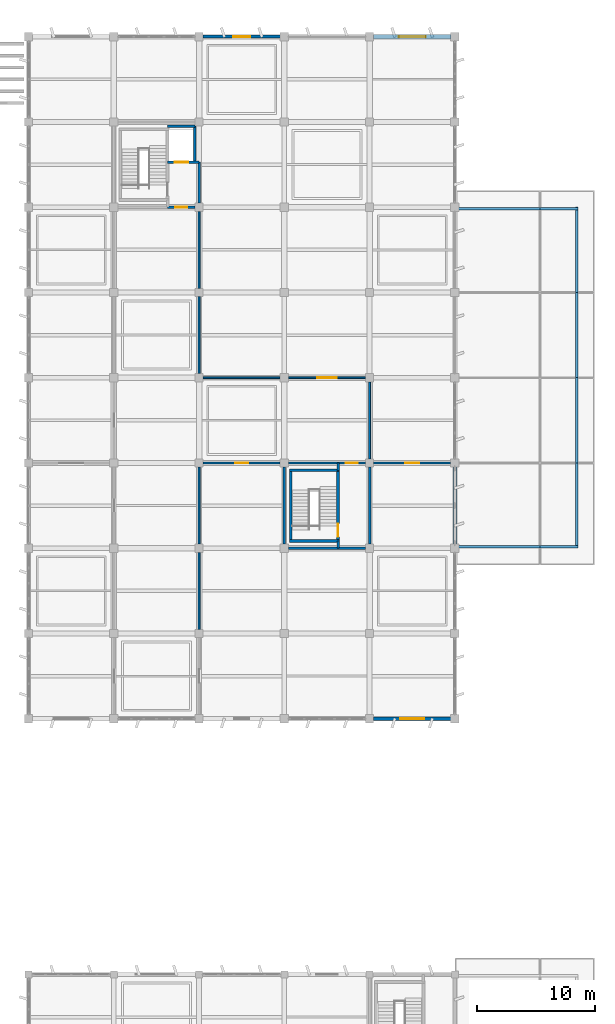
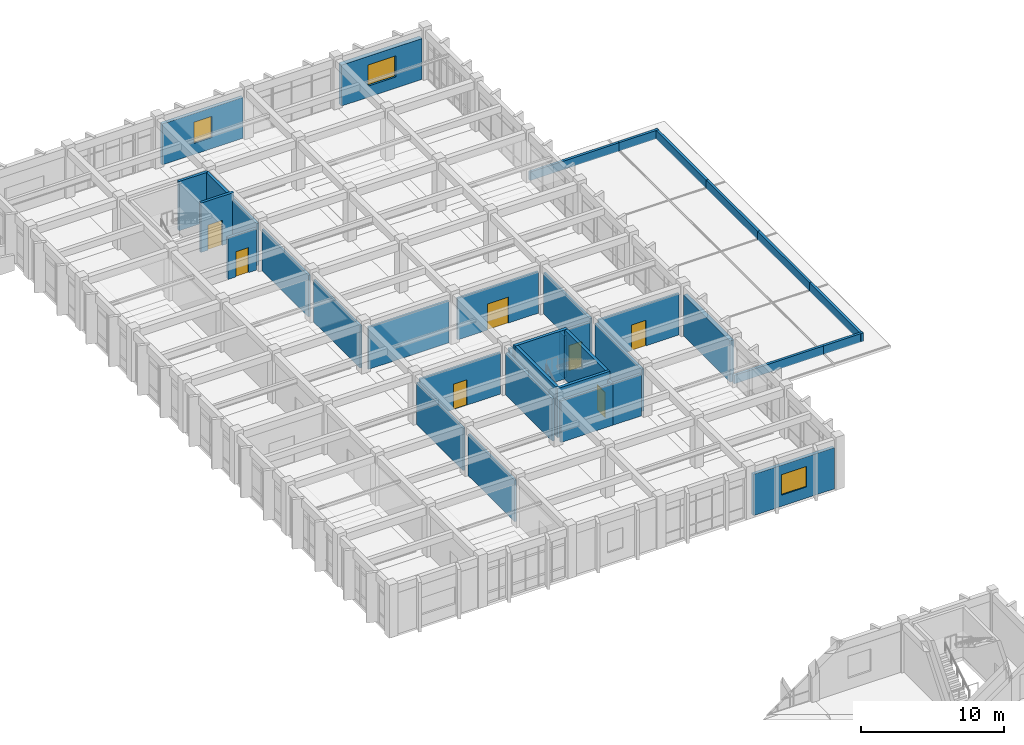
# One storey, part 70 of 81: 38 walls, 7 doors, 3 windows, 10 openings.
"""IFC4 building model written with IfcOpenShell, lengths in metres."""

from ifc_helpers import new_model, si_unit, direction, frame, frame_2d, origin, place, context, subcontext, project, spatial, rectangle, extrude, material, layer, layer_set, type_object, element, fill, save


model = new_model("IFC4")

# Units and contexts
model_context = context("Model", 3, precision=1e-05, world=origin(), true_north=direction((0.0, 1.0)))
body_context = subcontext(model_context, "Body", "Model", "MODEL_VIEW")
ifc_project = project(units=[si_unit("LENGTHUNIT", "METRE"), si_unit("AREAUNIT", "SQUARE_METRE"), si_unit("VOLUMEUNIT", "CUBIC_METRE"), si_unit("PLANEANGLEUNIT", "RADIAN"), si_unit("MASSUNIT", "GRAM", prefix="KILO")], contexts=[model_context])

# Site, building, storey
site_placement = place(None, origin())
site = spatial("IfcSite", under=ifc_project, at=site_placement, CompositionType="ELEMENT")
building_placement = place(site_placement, origin())
building = spatial("IfcBuilding", under=site, at=building_placement, Name="Kavelor Marine Aquarium", CompositionType="ELEMENT")
storey_placement = place(building_placement, frame((0.0, 0.0, 4.679931640625)))
storey = spatial("IfcBuildingStorey", under=building, at=storey_placement, Name="L01", CompositionType="ELEMENT", Elevation=4.679931640625)

# Wall, opening, window
ifc_material_1 = material(Name="Concrete C45/55", Category="concrete")
ifc_layer_1 = layer(ifc_material_1, 0.360107421875)
ifc_layer_set_1 = layer_set([ifc_layer_1], Name="WL-EX1")
wall_type_1 = type_object("IfcWallType", Name="WL-EX1", PredefinedType="STANDARD", material=ifc_layer_set_1)
wall_1_placement = place(storey_placement, frame((147.544921875, 110.800048828125, 0.0), z_axis=(0.0, 0.0, 1.0), x_axis=(1.0, 0.0, 0.0)))
wall_1 = element("IfcWall", 1, at=wall_1_placement, inside=storey, type_object=wall_type_1, Name="ew:x:L01:20_15", PredefinedType="STANDARD", context=body_context, shape_type="SweptSolid", body=[
    extrude(rectangle(XDim=6.510009765625, YDim=0.360107421875, at=frame_2d((3.2548828125, 0.0))), origin(), (0.0, 0.0, 1.0), 3.489990234375),
])
opening_1_placement = place(wall_1_placement, frame((2.1298828125, 0.0, 0.949951171875)))
opening_1 = element("IfcOpeningElement", 2, at=opening_1_placement, cuts=wall_1, Name="Opening W42", PredefinedType="OPENING", context=body_context, shape_type="SweptSolid", body=[
    extrude(rectangle(XDim=2.25, YDim=1.800048828125, at=frame_2d((1.125, 0.89990234375))), frame((0.0, 0.18994140625, 0.0), z_axis=(0.0, -1.0, 0.0), x_axis=(1.0, 0.0, 0.0)), (0.0, 0.0, 1.0), 0.380107),
])
ifc_material_2 = material(Name="Anodised Aluminium Frame with Low-E Double Glazing", Category="aluminium")
window_type_1 = type_object("IfcWindowType", Name="WIN-W42", PartitioningType="DOUBLE_PANEL_VERTICAL", PredefinedType="WINDOW", material=ifc_material_2)
window_1_placement = place(opening_1_placement, origin())
window_1 = element("IfcWindow", 3, at=window_1_placement, inside=storey, type_object=window_type_1, Name="win:x:L01:20_15", OverallHeight=1.800048828125, OverallWidth=2.25, PartitioningType="SINGLE_PANEL", PredefinedType="WINDOW", context=body_context, shape_type="SweptSolid", body=[
    extrude(rectangle(XDim=2.25, YDim=1.800048828125, at=frame_2d((1.125, 0.89990234375))), frame((0.0, 0.030029296875, 0.0), z_axis=(0.0, -1.0, 0.0), x_axis=(1.0, 0.0, 0.0)), (0.0, 0.0, 1.0), 0.06005859375),
])
fill(opening_1, window_1)

# Wall
ifc_material_3 = material(Name="Concrete C45/55", Category="concrete")
ifc_layer_2 = layer(ifc_material_3, 0.320068359375)
ifc_layer_set_2 = layer_set([ifc_layer_2], Name="WL-EX2")
wall_type_2 = type_object("IfcWallType", Name="WL-EX2", PredefinedType="STANDARD", material=ifc_layer_set_2)
wall_2_placement = place(storey_placement, frame((154.39990234375, 74.455078125, 0.0), z_axis=(0.0, 0.0, 1.0), x_axis=(0.0, -1.0, 0.0)))
element("IfcWall", 4, at=wall_2_placement, inside=storey, type_object=wall_type_2, Name="ew:y:L01:21_09", PredefinedType="STANDARD", context=body_context, shape_type="SweptSolid", body=[
    extrude(rectangle(XDim=6.510009765625, YDim=0.320068359375, at=frame_2d((3.2548828125, 0.0))), origin(), (0.0, 0.0, 1.0), 3.510009765625),
])

# Wall, opening, window
ifc_material_4 = material(Name="Concrete C40/50", Category="concrete")
ifc_layer_3 = layer(ifc_material_4, 0.260009765625)
ifc_layer_set_3 = layer_set([ifc_layer_3], Name="WL-EX5")
wall_type_3 = type_object("IfcWallType", Name="WL-EX5", PredefinedType="STANDARD", material=ifc_layer_set_3)
wall_3_placement = place(storey_placement, frame((133.14501953125, 110.800048828125, 0.0), z_axis=(0.0, 0.0, 1.0), x_axis=(1.0, 0.0, 0.0)))
wall_3 = element("IfcWall", 5, at=wall_3_placement, inside=storey, type_object=wall_type_3, Name="ew:x:L01:18_15", PredefinedType="STANDARD", context=body_context, shape_type="SweptSolid", body=[
    extrude(rectangle(XDim=6.510009765625, YDim=0.260009765625, at=frame_2d((3.2548828125, 0.0))), origin(), (0.0, 0.0, 1.0), 3.489990234375),
])
opening_2_placement = place(wall_3_placement, frame((2.530029296875, 0.0, 0.949951171875)))
opening_2 = element("IfcOpeningElement", 6, at=opening_2_placement, cuts=wall_3, Name="Opening W38", PredefinedType="OPENING", context=body_context, shape_type="SweptSolid", body=[
    extrude(rectangle(XDim=1.449951171875, YDim=1.800048828125, at=frame_2d((0.72509765625, 0.89990234375))), frame((0.0, 0.139892578125, 0.0), z_axis=(0.0, -1.0, 0.0), x_axis=(1.0, 0.0, 0.0)), (0.0, 0.0, 1.0), 0.28001),
])
ifc_material_5 = material(Name="Anodised Aluminium Frame with Low-E Double Glazing", Category="aluminium")
window_type_2 = type_object("IfcWindowType", Name="WIN-W38", PartitioningType="SINGLE_PANEL", PredefinedType="WINDOW", material=ifc_material_5)
window_2_placement = place(opening_2_placement, origin())
window_2 = element("IfcWindow", 7, at=window_2_placement, inside=storey, type_object=window_type_2, Name="win:x:L01:18_15", OverallHeight=1.800048828125, OverallWidth=1.449951171875, PartitioningType="SINGLE_PANEL", PredefinedType="WINDOW", context=body_context, shape_type="SweptSolid", body=[
    extrude(rectangle(XDim=1.449951171875, YDim=1.800048828125, at=frame_2d((0.72509765625, 0.89990234375))), frame((0.0, 0.030029296875, 0.0), z_axis=(0.0, -1.0, 0.0), x_axis=(1.0, 0.0, 0.0)), (0.0, 0.0, 1.0), 0.06005859375),
])
fill(opening_2, window_2)

wall_4_placement = place(storey_placement, frame((154.054931640625, 53.199951171875, 0.0), z_axis=(0.0, 0.0, 1.0), x_axis=(-1.0, 0.0, 0.0)))
wall_4 = element("IfcWall", 8, at=wall_4_placement, inside=storey, type_object=wall_type_3, Name="ew:x:L01:20_07", PredefinedType="STANDARD", context=body_context, shape_type="SweptSolid", body=[
    extrude(rectangle(XDim=6.510009765625, YDim=0.260009765625, at=frame_2d((3.2548828125, 0.0))), origin(), (0.0, 0.0, 1.0), 3.510009765625),
])
opening_3_placement = place(wall_4_placement, frame((2.22998046875, 0.0, 0.949951171875)))
opening_3 = element("IfcOpeningElement", 9, at=opening_3_placement, cuts=wall_4, Name="Opening W41", PredefinedType="OPENING", context=body_context, shape_type="SweptSolid", body=[
    extrude(rectangle(XDim=2.050048828125, YDim=1.75, at=frame_2d((1.02490234375, 0.875))), frame((0.0, 0.139892578125, 0.0), z_axis=(0.0, -1.0, 0.0), x_axis=(1.0, 0.0, 0.0)), (0.0, 0.0, 1.0), 0.28001),
])
ifc_material_6 = material(Name="Anodised Aluminium Frame with Low-E Double Glazing", Category="aluminium")
window_type_3 = type_object("IfcWindowType", Name="WIN-W41", PartitioningType="DOUBLE_PANEL_VERTICAL", PredefinedType="WINDOW", material=ifc_material_6)
window_3_placement = place(opening_3_placement, origin())
window_3 = element("IfcWindow", 10, at=window_3_placement, inside=storey, type_object=window_type_3, Name="win:x:L01:20_07", OverallHeight=1.75, OverallWidth=2.050048828125, PartitioningType="SINGLE_PANEL", PredefinedType="WINDOW", context=body_context, shape_type="SweptSolid", body=[
    extrude(rectangle(XDim=2.050048828125, YDim=1.75, at=frame_2d((1.02490234375, 0.875))), frame((0.0, 0.030029296875, 0.0), z_axis=(0.0, -1.0, 0.0), x_axis=(1.0, 0.0, 0.0)), (0.0, 0.0, 1.0), 0.06005859375),
])
fill(opening_3, window_3)

# Walls
ifc_material_7 = material(Name="Concrete C40/50", Category="concrete")
ifc_layer_4 = layer(ifc_material_7, 0.199951171875)
ifc_layer_set_4 = layer_set([ifc_layer_4], Name="WL-PR3")
wall_type_4 = type_object("IfcWallType", Name="WL-PR3", PredefinedType="PARAPET", material=ifc_layer_set_4)
for number, where, z_axis, x_axis, name in (
    (11, (154.39990234375, 67.719970703125, 0.0), (0.0, 0.0, 1.0), (1.0, 0.0, 0.0), "par:s:L01:21_09"),
    (12, (154.39990234375, 96.280029296875, 0.0), (0.0, 0.0, 1.0), (1.0, 0.0, 0.0), "par:n:L01:21_12"),
):
    element("IfcWall", number, at=place(storey_placement, frame(where, z_axis=z_axis, x_axis=x_axis)), inside=storey, type_object=wall_type_4, Name=name, PredefinedType="PARAPET", context=body_context, shape_type="SweptSolid", body=[
        extrude(rectangle(XDim=7.2001953125, YDim=0.199951171875, at=frame_2d((3.60009765625, 0.0))), origin(), (0.0, 0.0, 1.0), 0.719970703125),
    ])
wall_5_placement = place(storey_placement, frame((161.60009765625, 67.719970703125, 0.0), z_axis=(0.0, 0.0, 1.0), x_axis=(1.0, 0.0, 0.0)))
element("IfcWall", 13, at=wall_5_placement, inside=storey, type_object=wall_type_4, Name="par:s:L01:22_09", PredefinedType="PARAPET", context=body_context, shape_type="SweptSolid", body=[
    extrude(rectangle(XDim=3.199951171875, YDim=0.199951171875, at=frame_2d((1.60009765625, 0.0))), origin(), (0.0, 0.0, 1.0), 0.719970703125),
])
for number, where, z_axis, x_axis, name in (
    (14, (164.679931640625, 67.60009765625, 0.0), (0.0, 0.0, 1.0), (0.0, 1.0, 0.0), "par:e:L01:22_09"),
    (15, (164.679931640625, 74.800048828125, 0.0), (0.0, 0.0, 1.0), (0.0, 1.0, 0.0), "par:e:L01:22_10"),
    (16, (164.679931640625, 82.0, 0.0), (0.0, 0.0, 1.0), (0.0, 1.0, 0.0), "par:e:L01:22_11"),
):
    element("IfcWall", number, at=place(storey_placement, frame(where, z_axis=z_axis, x_axis=x_axis)), inside=storey, type_object=wall_type_4, Name=name, PredefinedType="PARAPET", context=body_context, shape_type="SweptSolid", body=[
        extrude(rectangle(XDim=7.199951171875, YDim=0.199951171875, at=frame_2d((3.60009765625, 0.0))), origin(), (0.0, 0.0, 1.0), 0.719970703125),
    ])
wall_6_placement = place(storey_placement, frame((161.60009765625, 96.280029296875, 0.0), z_axis=(0.0, 0.0, 1.0), x_axis=(1.0, 0.0, 0.0)))
element("IfcWall", 17, at=wall_6_placement, inside=storey, type_object=wall_type_4, Name="par:n:L01:22_12", PredefinedType="PARAPET", context=body_context, shape_type="SweptSolid", body=[
    extrude(rectangle(XDim=3.199951171875, YDim=0.199951171875, at=frame_2d((1.60009765625, 0.0))), origin(), (0.0, 0.0, 1.0), 0.719970703125),
])
wall_7_placement = place(storey_placement, frame((164.679931640625, 89.199951171875, 0.0), z_axis=(0.0, 0.0, 1.0), x_axis=(0.0, 1.0, 0.0)))
element("IfcWall", 18, at=wall_7_placement, inside=storey, type_object=wall_type_4, Name="par:e:L01:22_12", PredefinedType="PARAPET", context=body_context, shape_type="SweptSolid", body=[
    extrude(rectangle(XDim=7.199951171875, YDim=0.199951171875, at=frame_2d((3.60009765625, 0.0))), origin(), (0.0, 0.0, 1.0), 0.719970703125),
])
ifc_material_8 = material(Name="Concrete Blockwork Partition", Category="masonry")
ifc_layer_5 = layer(ifc_material_8, 0.199951171875)
ifc_layer_set_5 = layer_set([ifc_layer_5], Name="WL-PT1")
wall_type_5 = type_object("IfcWallType", Name="WL-PT1", PredefinedType="PARTITIONING", material=ifc_layer_set_5)
wall_8_placement = place(storey_placement, frame((132.800048828125, 96.75, 0.0), z_axis=(0.0, 0.0, 1.0), x_axis=(0.0, 1.0, 0.0)))
element("IfcWall", 19, at=wall_8_placement, inside=storey, type_object=wall_type_5, Name="pt:lob:C10:L01:e", PredefinedType="PARTITIONING", context=body_context, shape_type="SweptSolid", body=[
    extrude(rectangle(XDim=3.449951171875, YDim=0.199951171875, at=frame_2d((1.72509765625, 0.0))), origin(), (0.0, 0.0, 1.0), 3.590087890625),
])

# Wall, opening, door
wall_9_placement = place(storey_placement, frame((130.139892578125, 96.39990234375, 0.0), z_axis=(0.0, 0.0, 1.0), x_axis=(1.0, 0.0, 0.0)))
wall_9 = element("IfcWall", 20, at=wall_9_placement, inside=storey, type_object=wall_type_5, Name="pt:lob:C10:L01:s", PredefinedType="PARTITIONING", context=body_context, shape_type="SweptSolid", body=[
    extrude(rectangle(XDim=2.31005859375, YDim=0.199951171875, at=frame_2d((1.155029296875, 0.0))), origin(), (0.0, 0.0, 1.0), 3.5400390625),
])
opening_4_placement = place(wall_9_placement, frame((0.64501953125, 0.0, 0.0)))
opening_4 = element("IfcOpeningElement", 21, at=opening_4_placement, cuts=wall_9, Name="Opening SD1", PredefinedType="OPENING", context=body_context, shape_type="SweptSolid", body=[
    extrude(rectangle(XDim=1.02001953125, YDim=2.14990234375, at=frame_2d((0.510009765625, 1.074951171875))), frame((0.0, 0.10986328125, 0.0), z_axis=(0.0, -1.0, 0.0), x_axis=(1.0, 0.0, 0.0)), (0.0, 0.0, 1.0), 0.219951),
])
ifc_material_9 = material(Name="Fire-Rated Corridor Compartment Door")
door_type_1 = type_object("IfcDoorType", Name="DR-SD1", OperationType="NOTDEFINED", PredefinedType="DOOR", material=ifc_material_9)
door_1_placement = place(opening_4_placement, origin())
door_1 = element("IfcDoor", 22, at=door_1_placement, inside=storey, type_object=door_type_1, Name="Core Lobby Fire Door C10-L01", OperationType="SINGLE_SWING_RIGHT", OverallHeight=2.14990234375, OverallWidth=1.02001953125, PredefinedType="DOOR", context=body_context, shape_type="SweptSolid", body=[
    extrude(rectangle(XDim=1.02001953125, YDim=2.14990234375, at=frame_2d((0.510009765625, 1.074951171875))), frame((0.0, 0.02490234375, 0.0), z_axis=(0.0, -1.0, 0.0), x_axis=(1.0, 0.0, 0.0)), (0.0, 0.0, 1.0), 0.050048828125),
])
fill(opening_4, door_1)

# Walls
wall_10_placement = place(storey_placement, frame((144.5400390625, 67.60009765625, 0.0), z_axis=(0.0, 0.0, 1.0), x_axis=(0.0, 1.0, 0.0)))
element("IfcWall", 23, at=wall_10_placement, inside=storey, type_object=wall_type_5, Name="pt:st_close:s:C11:L01", PredefinedType="PARTITIONING", context=body_context, shape_type="SweptSolid", body=[
    extrude(rectangle(XDim=0.619873046875, YDim=0.199951171875, at=frame_2d((0.31005859375, 0.0))), origin(), (0.0, 0.0, 1.0), 3.5400390625),
])
wall_11_placement = place(storey_placement, frame((144.5400390625, 74.179931640625, 0.0), z_axis=(0.0, 0.0, 1.0), x_axis=(0.0, 1.0, 0.0)))
element("IfcWall", 24, at=wall_11_placement, inside=storey, type_object=wall_type_5, Name="pt:st_close:n:C11:L01", PredefinedType="PARTITIONING", context=body_context, shape_type="SweptSolid", body=[
    extrude(rectangle(XDim=0.6201171875, YDim=0.199951171875, at=frame_2d((0.31005859375, 0.0))), origin(), (0.0, 0.0, 1.0), 3.590087890625),
])
for number, where, z_axis, x_axis, name in (
    (25, (140.0, 67.949951171875, 0.0), (0.0, 0.0, 1.0), (0.0, 1.0, 0.0), "pt:lob:C11:L01:w"),
    (26, (147.199951171875, 67.949951171875, 0.0), (0.0, 0.0, 1.0), (0.0, 1.0, 0.0), "pt:lob:C11:L01:e"),
):
    element("IfcWall", number, at=place(storey_placement, frame(where, z_axis=z_axis, x_axis=x_axis)), inside=storey, type_object=wall_type_5, Name=name, PredefinedType="PARTITIONING", context=body_context, shape_type="SweptSolid", body=[
        extrude(rectangle(XDim=6.5, YDim=0.199951171875, at=frame_2d((3.25, 0.0))), origin(), (0.0, 0.0, 1.0), 3.590087890625),
    ])
wall_12_placement = place(storey_placement, frame((140.35009765625, 67.60009765625, 0.0), z_axis=(0.0, 0.0, 1.0), x_axis=(1.0, 0.0, 0.0)))
element("IfcWall", 27, at=wall_12_placement, inside=storey, type_object=wall_type_5, Name="pt:lob:C11:L01:s_st", PredefinedType="PARTITIONING", context=body_context, shape_type="SweptSolid", body=[
    extrude(rectangle(XDim=4.18994140625, YDim=0.199951171875, at=frame_2d((2.094970703125, 0.0))), origin(), (0.0, 0.0, 1.0), 3.5400390625),
])
wall_13_placement = place(storey_placement, frame((144.5400390625, 67.60009765625, 0.0), z_axis=(0.0, 0.0, 1.0), x_axis=(1.0, 0.0, 0.0)))
element("IfcWall", 28, at=wall_13_placement, inside=storey, type_object=wall_type_5, Name="pt:lob:C11:L01:s", PredefinedType="PARTITIONING", context=body_context, shape_type="SweptSolid", body=[
    extrude(rectangle(XDim=2.31005859375, YDim=0.199951171875, at=frame_2d((1.155029296875, 0.0))), origin(), (0.0, 0.0, 1.0), 3.5400390625),
])
wall_14_placement = place(storey_placement, frame((140.35009765625, 74.800048828125, 0.0), z_axis=(0.0, 0.0, 1.0), x_axis=(1.0, 0.0, 0.0)))
element("IfcWall", 29, at=wall_14_placement, inside=storey, type_object=wall_type_5, Name="pt:lob:C11:L01:n_st", PredefinedType="PARTITIONING", context=body_context, shape_type="SweptSolid", body=[
    extrude(rectangle(XDim=4.18994140625, YDim=0.199951171875, at=frame_2d((2.094970703125, 0.0))), origin(), (0.0, 0.0, 1.0), 3.590087890625),
])

# Wall, opening, door
wall_15_placement = place(storey_placement, frame((144.5400390625, 74.800048828125, 0.0), z_axis=(0.0, 0.0, 1.0), x_axis=(1.0, 0.0, 0.0)))
wall_15 = element("IfcWall", 30, at=wall_15_placement, inside=storey, type_object=wall_type_5, Name="pt:lob:C11:L01:n", PredefinedType="PARTITIONING", context=body_context, shape_type="SweptSolid", body=[
    extrude(rectangle(XDim=2.31005859375, YDim=0.199951171875, at=frame_2d((1.155029296875, 0.0))), origin(), (0.0, 0.0, 1.0), 3.590087890625),
])
opening_5_placement = place(wall_15_placement, frame((0.64501953125, 0.0, 0.0)))
opening_5 = element("IfcOpeningElement", 31, at=opening_5_placement, cuts=wall_15, Name="Opening SD1", PredefinedType="OPENING", context=body_context, shape_type="SweptSolid", body=[
    extrude(rectangle(XDim=1.02001953125, YDim=2.14990234375, at=frame_2d((0.510009765625, 1.074951171875))), frame((0.0, 0.10986328125, 0.0), z_axis=(0.0, -1.0, 0.0), x_axis=(1.0, 0.0, 0.0)), (0.0, 0.0, 1.0), 0.219951),
])
door_2_placement = place(opening_5_placement, origin())
door_2 = element("IfcDoor", 32, at=door_2_placement, inside=storey, type_object=door_type_1, Name="Core Lobby Fire Door C11-L01", OperationType="SINGLE_SWING_RIGHT", OverallHeight=2.14990234375, OverallWidth=1.02001953125, PredefinedType="DOOR", context=body_context, shape_type="SweptSolid", body=[
    extrude(rectangle(XDim=1.02001953125, YDim=2.14990234375, at=frame_2d((0.510009765625, 1.074951171875))), frame((0.0, 0.02490234375, 0.0), z_axis=(0.0, -1.0, 0.0), x_axis=(1.0, 0.0, 0.0)), (0.0, 0.0, 1.0), 0.050048828125),
])
fill(opening_5, door_2)

# Walls
ifc_material_10 = material(Name="Acoustic Gypsum Stud Partition")
ifc_layer_6 = layer(ifc_material_10, 0.159912109375)
ifc_layer_set_6 = layer_set([ifc_layer_6], Name="WL-PT2")
wall_type_6 = type_object("IfcWallType", Name="WL-PT2", PredefinedType="PARTITIONING", material=ifc_layer_set_6)
wall_16_placement = place(storey_placement, frame((132.800048828125, 60.75, 0.0), z_axis=(0.0, 0.0, 1.0), x_axis=(0.0, 1.0, 0.0)))
element("IfcWall", 33, at=wall_16_placement, inside=storey, type_object=wall_type_6, Name="pt:y:L01:17_08", PredefinedType="PARTITIONING", context=body_context, shape_type="SweptSolid", body=[
    extrude(rectangle(XDim=6.5, YDim=0.159912109375, at=frame_2d((3.25, 0.0))), origin(), (0.0, 0.0, 1.0), 3.5400390625),
])
for number, where, z_axis, x_axis, name in (
    (34, (132.800048828125, 67.949951171875, 0.0), (0.0, 0.0, 1.0), (0.0, 1.0, 0.0), "pt:y:L01:17_09"),
    (35, (132.800048828125, 82.35009765625, 0.0), (0.0, 0.0, 1.0), (0.0, 1.0, 0.0), "pt:y:L01:17_11"),
):
    element("IfcWall", number, at=place(storey_placement, frame(where, z_axis=z_axis, x_axis=x_axis)), inside=storey, type_object=wall_type_6, Name=name, PredefinedType="PARTITIONING", context=body_context, shape_type="SweptSolid", body=[
        extrude(rectangle(XDim=6.5, YDim=0.159912109375, at=frame_2d((3.25, 0.0))), origin(), (0.0, 0.0, 1.0), 3.590087890625),
    ])
wall_17_placement = place(storey_placement, frame((132.800048828125, 89.550048828125, 0.0), z_axis=(0.0, 0.0, 1.0), x_axis=(0.0, 1.0, 0.0)))
element("IfcWall", 36, at=wall_17_placement, inside=storey, type_object=wall_type_6, Name="pt:y:L01:17_12", PredefinedType="PARTITIONING", context=body_context, shape_type="SweptSolid", body=[
    extrude(rectangle(XDim=6.5, YDim=0.159912109375, at=frame_2d((3.25, 0.0))), origin(), (0.0, 0.0, 1.0), 3.5400390625),
])

# Wall, opening, door
wall_18_placement = place(storey_placement, frame((133.14990234375, 74.800048828125, 0.0), z_axis=(0.0, 0.0, 1.0), x_axis=(1.0, 0.0, 0.0)))
wall_18 = element("IfcWall", 37, at=wall_18_placement, inside=storey, type_object=wall_type_6, Name="pt:x:L01:18_09", PredefinedType="PARTITIONING", context=body_context, shape_type="SweptSolid", body=[
    extrude(rectangle(XDim=6.5, YDim=0.159912109375, at=frame_2d((3.25, 0.0))), origin(), (0.0, 0.0, 1.0), 3.5400390625),
])
opening_6_placement = place(wall_18_placement, frame((2.7099609375, 0.0, 0.0)))
opening_6 = element("IfcOpeningElement", 38, at=opening_6_placement, cuts=wall_18, Name="Opening D08", PredefinedType="OPENING", context=body_context, shape_type="SweptSolid", body=[
    extrude(rectangle(XDim=1.080078125, YDim=2.159912109375, at=frame_2d((0.5400390625, 1.080078125))), frame((0.0, 0.08984375, 0.0), z_axis=(0.0, -1.0, 0.0), x_axis=(1.0, 0.0, 0.0)), (0.0, 0.0, 1.0), 0.179912),
])
ifc_material_11 = material(Name="Discovery Wet Lab Vision Door")
door_type_2 = type_object("IfcDoorType", Name="DR-D08", OperationType="NOTDEFINED", PredefinedType="DOOR", material=ifc_material_11)
door_3_placement = place(opening_6_placement, origin())
door_3 = element("IfcDoor", 39, at=door_3_placement, inside=storey, type_object=door_type_2, Name="dr:rm:pt:x:L01:18_09:1", OperationType="SINGLE_SWING_RIGHT", OverallHeight=2.159912109375, OverallWidth=1.080078125, PredefinedType="DOOR", context=body_context, shape_type="SweptSolid", body=[
    extrude(rectangle(XDim=1.080078125, YDim=2.159912109375, at=frame_2d((0.5400390625, 1.080078125))), frame((0.0, 0.02490234375, 0.0), z_axis=(0.0, -1.0, 0.0), x_axis=(1.0, 0.0, 0.0)), (0.0, 0.0, 1.0), 0.050048828125),
])
fill(opening_6, door_3)

# Walls
wall_19_placement = place(storey_placement, frame((133.14990234375, 82.0, 0.0), z_axis=(0.0, 0.0, 1.0), x_axis=(1.0, 0.0, 0.0)))
element("IfcWall", 40, at=wall_19_placement, inside=storey, type_object=wall_type_6, Name="pt:x:L01:18_10", PredefinedType="PARTITIONING", context=body_context, shape_type="SweptSolid", body=[
    extrude(rectangle(XDim=6.5, YDim=0.159912109375, at=frame_2d((3.25, 0.0))), origin(), (0.0, 0.0, 1.0), 3.590087890625),
])
wall_20_placement = place(storey_placement, frame((147.199951171875, 75.14990234375, 0.0), z_axis=(0.0, 0.0, 1.0), x_axis=(0.0, 1.0, 0.0)))
element("IfcWall", 41, at=wall_20_placement, inside=storey, type_object=wall_type_6, Name="pt:y:L01:19_10", PredefinedType="PARTITIONING", context=body_context, shape_type="SweptSolid", body=[
    extrude(rectangle(XDim=6.5, YDim=0.159912109375, at=frame_2d((3.25, 0.0))), origin(), (0.0, 0.0, 1.0), 3.5400390625),
])

# Wall, opening, door
wall_21_placement = place(storey_placement, frame((140.35009765625, 82.0, 0.0), z_axis=(0.0, 0.0, 1.0), x_axis=(1.0, 0.0, 0.0)))
wall_21 = element("IfcWall", 42, at=wall_21_placement, inside=storey, type_object=wall_type_6, Name="pt:x:L01:19_10", PredefinedType="PARTITIONING", context=body_context, shape_type="SweptSolid", body=[
    extrude(rectangle(XDim=6.5, YDim=0.159912109375, at=frame_2d((3.25, 0.0))), origin(), (0.0, 0.0, 1.0), 3.5400390625),
])
opening_7_placement = place(wall_21_placement, frame((2.419921875, 0.0, 0.0)))
opening_7 = element("IfcOpeningElement", 43, at=opening_7_placement, cuts=wall_21, Name="Opening D12", PredefinedType="OPENING", context=body_context, shape_type="SweptSolid", body=[
    extrude(rectangle(XDim=1.659912109375, YDim=2.219970703125, at=frame_2d((0.830078125, 1.10986328125))), frame((0.0, 0.08984375, 0.0), z_axis=(0.0, -1.0, 0.0), x_axis=(1.0, 0.0, 0.0)), (0.0, 0.0, 1.0), 0.179912),
])
ifc_material_12 = material(Name="Amphitheatre Vestibule Double Door")
door_type_3 = type_object("IfcDoorType", Name="DR-D12", OperationType="NOTDEFINED", PredefinedType="DOOR", material=ifc_material_12)
door_4_placement = place(opening_7_placement, origin())
door_4 = element("IfcDoor", 44, at=door_4_placement, inside=storey, type_object=door_type_3, Name="dr:rm:pt:x:L01:19_10:1", OperationType="DOUBLE_DOOR_SINGLE_SWING", OverallHeight=2.219970703125, OverallWidth=1.659912109375, PredefinedType="DOOR", context=body_context, shape_type="SweptSolid", body=[
    extrude(rectangle(XDim=1.659912109375, YDim=2.219970703125, at=frame_2d((0.830078125, 1.10986328125))), frame((0.0, 0.02490234375, 0.0), z_axis=(0.0, -1.0, 0.0), x_axis=(1.0, 0.0, 0.0)), (0.0, 0.0, 1.0), 0.050048828125),
])
fill(opening_7, door_4)

wall_22_placement = place(storey_placement, frame((147.550048828125, 74.800048828125, 0.0), z_axis=(0.0, 0.0, 1.0), x_axis=(1.0, 0.0, 0.0)))
wall_22 = element("IfcWall", 45, at=wall_22_placement, inside=storey, type_object=wall_type_6, Name="pt:x:L01:20_09", PredefinedType="PARTITIONING", context=body_context, shape_type="SweptSolid", body=[
    extrude(rectangle(XDim=6.5, YDim=0.159912109375, at=frame_2d((3.25, 0.0))), origin(), (0.0, 0.0, 1.0), 3.5400390625),
])
opening_8_placement = place(wall_22_placement, frame((2.669921875, 0.0, 0.0)))
opening_8 = element("IfcOpeningElement", 46, at=opening_8_placement, cuts=wall_22, Name="Opening D09", PredefinedType="OPENING", context=body_context, shape_type="SweptSolid", body=[
    extrude(rectangle(XDim=1.159912109375, YDim=2.179931640625, at=frame_2d((0.580078125, 1.08984375))), frame((0.0, 0.08984375, 0.0), z_axis=(0.0, -1.0, 0.0), x_axis=(1.0, 0.0, 0.0)), (0.0, 0.0, 1.0), 0.179912),
])
ifc_material_13 = material(Name="Husbandry Prep Marine Door")
door_type_4 = type_object("IfcDoorType", Name="DR-D09", OperationType="NOTDEFINED", PredefinedType="DOOR", material=ifc_material_13)
door_5_placement = place(opening_8_placement, origin())
door_5 = element("IfcDoor", 47, at=door_5_placement, inside=storey, type_object=door_type_4, Name="dr:rm:pt:x:L01:20_09:0", OperationType="SINGLE_SWING_RIGHT", OverallHeight=2.179931640625, OverallWidth=1.159912109375, PredefinedType="DOOR", context=body_context, shape_type="SweptSolid", body=[
    extrude(rectangle(XDim=1.159912109375, YDim=2.179931640625, at=frame_2d((0.580078125, 1.08984375))), frame((0.0, 0.02490234375, 0.0), z_axis=(0.0, -1.0, 0.0), x_axis=(1.0, 0.0, 0.0)), (0.0, 0.0, 1.0), 0.050048828125),
])
fill(opening_8, door_5)

ifc_material_14 = material(Name="Concrete C40/50", Category="concrete")
ifc_layer_7 = layer(ifc_material_14, 0.35009765625)
ifc_layer_set_7 = layer_set([ifc_layer_7], Name="WL-SW2")
wall_type_7 = type_object("IfcWallType", Name="WL-SW2", PredefinedType="SHEAR", material=ifc_layer_set_7)
wall_23_placement = place(storey_placement, frame((130.139892578125, 100.199951171875, 0.0), z_axis=(0.0, 0.0, 1.0), x_axis=(1.0, 0.0, 0.0)))
wall_23 = element("IfcWall", 48, at=wall_23_placement, inside=storey, type_object=wall_type_7, Name="cw_lf:s:C10:L01", PredefinedType="SHEAR", context=body_context, shape_type="SweptSolid", body=[
    extrude(rectangle(XDim=2.66015625, YDim=0.219970703125, at=frame_2d((1.330078125, 0.0))), origin(), (0.0, 0.0, 1.0), 4.199951171875),
])
opening_9_placement = place(wall_23_placement, frame((0.5849609375, 0.0, 0.0)))
opening_9 = element("IfcOpeningElement", 49, at=opening_9_placement, cuts=wall_23, Name="Opening LD1", PredefinedType="OPENING", context=body_context, shape_type="SweptSolid", body=[
    extrude(rectangle(XDim=1.139892578125, YDim=2.14990234375, at=frame_2d((0.56982421875, 1.074951171875))), frame((0.0, 0.119873046875, 0.0), z_axis=(0.0, -1.0, 0.0), x_axis=(1.0, 0.0, 0.0)), (0.0, 0.0, 1.0), 0.239971),
])
ifc_material_15 = material(Name="Stainless Steel Lift Landing Sliding Door", Category="steel")
door_type_5 = type_object("IfcDoorType", Name="DR-LD1", OperationType="NOTDEFINED", PredefinedType="DOOR", material=ifc_material_15)
door_6_placement = place(opening_9_placement, origin())
door_6 = element("IfcDoor", 50, at=door_6_placement, inside=storey, type_object=door_type_5, Name="Lift Landing Sliding Door EL3-L01", OperationType="SLIDING_TO_LEFT", OverallHeight=2.14990234375, OverallWidth=1.139892578125, PredefinedType="DOOR", context=body_context, shape_type="SweptSolid", body=[
    extrude(rectangle(XDim=1.139892578125, YDim=2.14990234375, at=frame_2d((0.56982421875, 1.074951171875))), frame((0.0, 0.02490234375, 0.0), z_axis=(0.0, -1.0, 0.0), x_axis=(1.0, 0.0, 0.0)), (0.0, 0.0, 1.0), 0.050048828125),
])
fill(opening_9, door_6)

# Walls
wall_24_placement = place(storey_placement, frame((130.139892578125, 103.25, 0.0), z_axis=(0.0, 0.0, 1.0), x_axis=(1.0, 0.0, 0.0)))
element("IfcWall", 51, at=wall_24_placement, inside=storey, type_object=wall_type_7, Name="cw_lf:n:C10:L01", PredefinedType="SHEAR", context=body_context, shape_type="SweptSolid", body=[
    extrude(rectangle(XDim=2.31005859375, YDim=0.219970703125, at=frame_2d((1.155029296875, 0.0))), origin(), (0.0, 0.0, 1.0), 4.199951171875),
])
wall_25_placement = place(storey_placement, frame((132.449951171875, 100.199951171875, 0.0), z_axis=(0.0, 0.0, 1.0), x_axis=(0.0, 1.0, 0.0)))
element("IfcWall", 52, at=wall_25_placement, inside=storey, type_object=wall_type_7, Name="cw_lf:e:C10:L01", PredefinedType="SHEAR", context=body_context, shape_type="SweptSolid", body=[
    extrude(rectangle(XDim=3.050048828125, YDim=0.219970703125, at=frame_2d((1.52490234375, 0.0))), origin(), (0.0, 0.0, 1.0), 4.199951171875),
])
for number, where, z_axis, x_axis, name in (
    (53, (140.419921875, 68.219970703125, 0.0), (0.0, 0.0, 1.0), (1.0, 0.0, 0.0), "cw_st:s:C11:L01"),
    (54, (140.419921875, 74.179931640625, 0.0), (0.0, 0.0, 1.0), (1.0, 0.0, 0.0), "cw_st:n:C11:L01"),
):
    element("IfcWall", number, at=place(storey_placement, frame(where, z_axis=z_axis, x_axis=x_axis)), inside=storey, type_object=wall_type_7, Name=name, PredefinedType="SHEAR", context=body_context, shape_type="SweptSolid", body=[
        extrude(rectangle(XDim=4.239990234375, YDim=0.239990234375, at=frame_2d((2.1201171875, 0.0))), origin(), (0.0, 0.0, 1.0), 4.199951171875),
    ])
wall_26_placement = place(storey_placement, frame((140.5400390625, 68.340087890625, 0.0), z_axis=(0.0, 0.0, 1.0), x_axis=(0.0, 1.0, 0.0)))
element("IfcWall", 55, at=wall_26_placement, inside=storey, type_object=wall_type_7, Name="cw_st:w:C11:L01", PredefinedType="SHEAR", context=body_context, shape_type="SweptSolid", body=[
    extrude(rectangle(XDim=5.719970703125, YDim=0.239990234375, at=frame_2d((2.85986328125, 0.0))), origin(), (0.0, 0.0, 1.0), 4.199951171875),
])

# Wall, opening, door
wall_27_placement = place(storey_placement, frame((144.5400390625, 68.340087890625, 0.0), z_axis=(0.0, 0.0, 1.0), x_axis=(0.0, 1.0, 0.0)))
wall_27 = element("IfcWall", 56, at=wall_27_placement, inside=storey, type_object=wall_type_7, Name="cw_st:e:C11:L01", PredefinedType="SHEAR", context=body_context, shape_type="SweptSolid", body=[
    extrude(rectangle(XDim=5.719970703125, YDim=0.239990234375, at=frame_2d((2.85986328125, 0.0))), origin(), (0.0, 0.0, 1.0), 4.199951171875),
])
opening_10_placement = place(wall_27_placement, frame((0.219970703125, 0.0, 0.0)))
opening_10 = element("IfcOpeningElement", 57, at=opening_10_placement, cuts=wall_27, Name="Opening FD1", PredefinedType="OPENING", context=body_context, shape_type="SweptSolid", body=[
    extrude(rectangle(XDim=1.1201171875, YDim=2.14990234375, at=frame_2d((0.56005859375, 1.074951171875))), frame((0.0, 0.1298828125, 0.0), z_axis=(0.0, -1.0, 0.0), x_axis=(1.0, 0.0, 0.0)), (0.0, 0.0, 1.0), 0.25999),
])
ifc_material_16 = material(Name="Fire-Rated Steel Stair and Core Door", Category="steel")
door_type_6 = type_object("IfcDoorType", Name="DR-FD1", OperationType="NOTDEFINED", PredefinedType="DOOR", material=ifc_material_16)
door_7_placement = place(opening_10_placement, origin())
door_7 = element("IfcDoor", 58, at=door_7_placement, inside=storey, type_object=door_type_6, Name="Stair Fire Door ST11-L01", OperationType="SINGLE_SWING_LEFT", OverallHeight=2.14990234375, OverallWidth=1.1201171875, PredefinedType="DOOR", context=body_context, shape_type="SweptSolid", body=[
    extrude(rectangle(XDim=1.1201171875, YDim=2.14990234375, at=frame_2d((0.56005859375, 1.074951171875))), frame((0.0, 0.02490234375, 0.0), z_axis=(0.0, -1.0, 0.0), x_axis=(1.0, 0.0, 0.0)), (0.0, 0.0, 1.0), 0.050048828125),
])
fill(opening_10, door_7)

save(model, "model.ifc")
